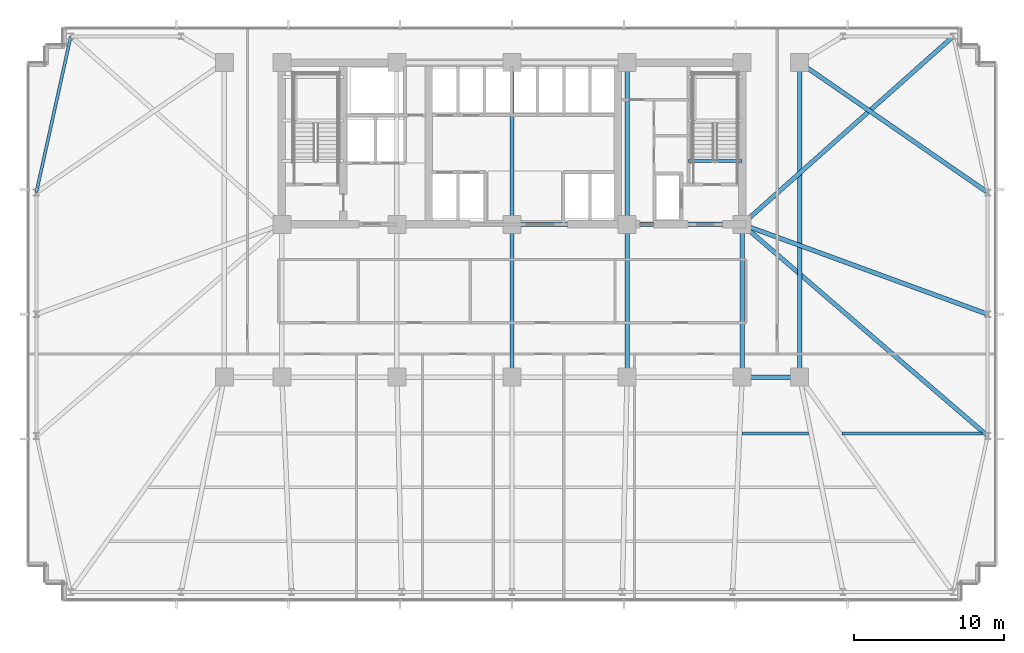
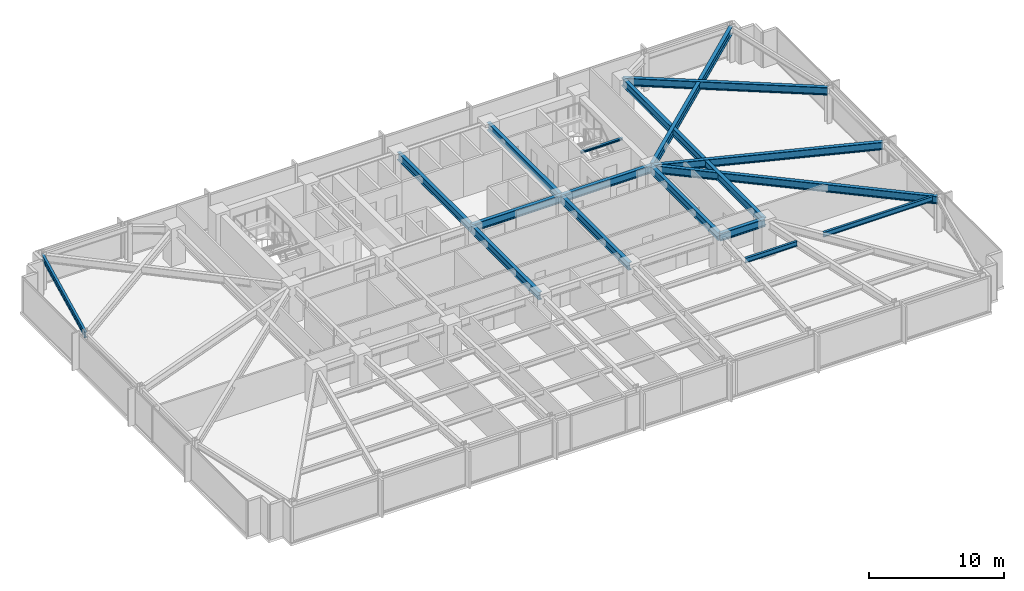
# One storey, part 16 of 33: 17 beams.
"""IFC4 building model written with IfcOpenShell, lengths in metres."""

from ifc_helpers import new_model, si_unit, direction, frame, origin, origin_2d, place, context, subcontext, project, spatial, i_section, extrude, material, material_profile, profile_set, type_object, element, save


model = new_model("IFC4")

# Units and contexts
model_context = context("Model", 3, precision=1e-05, world=origin(), true_north=direction((0.0, 1.0)))
body_context = subcontext(model_context, "Body", "Model", "MODEL_VIEW")
ifc_project = project(units=[si_unit("LENGTHUNIT", "METRE"), si_unit("AREAUNIT", "SQUARE_METRE"), si_unit("VOLUMEUNIT", "CUBIC_METRE"), si_unit("PLANEANGLEUNIT", "RADIAN"), si_unit("MASSUNIT", "GRAM", prefix="KILO")], contexts=[model_context])

# Site, building, storey
site_placement = place(None, origin())
site = spatial("IfcSite", under=ifc_project, at=site_placement, CompositionType="ELEMENT")
building_placement = place(site_placement, origin())
building = spatial("IfcBuilding", under=site, at=building_placement, Name="Yelkora Congress Tower", CompositionType="ELEMENT")
storey_placement = place(building_placement, frame((0.0, 0.0, 54.199951171875)))
storey = spatial("IfcBuildingStorey", under=building, at=storey_placement, Name="L13", CompositionType="ELEMENT", Elevation=54.199951171875)

# Beams
ifc_material = material(Name="Steel S355J2", Category="steel")
ifc_material_profile_1 = material_profile(ifc_material, i_section(OverallWidth=0.300048828125, OverallDepth=0.699951171875, WebThickness=0.01708984375, FlangeThickness=0.031982421875, FilletRadius=0.027099609375, at=origin_2d()), Name="HEB 700")
ifc_profile_set_1 = profile_set([ifc_material_profile_1], Name="Steel S355J2")
beam_type_1 = type_object("IfcBeamType", Name="BM-GIRD-HEB700", PredefinedType="BEAM", material=ifc_profile_set_1)
beam_1_placement = place(storey_placement, frame((53.760009765625, 25.199951171875, 2.830078125), z_axis=(1.0, 0.0, 0.0), x_axis=(0.0, 1.0, 0.0)))
element("IfcBeam", 1, at=beam_1_placement, inside=storey, type_object=beam_type_1, Name="L13 Spine Grid D Girder 6", PredefinedType="BEAM", context=body_context, shape_type="SweptSolid", body=[
    extrude(i_section(OverallWidth=0.300048828125, OverallDepth=0.699951171875, WebThickness=0.01708984375, FlangeThickness=0.031982421875, FilletRadius=0.027099609375, at=origin_2d()), origin(), (0.0, 0.0, 1.0), 3.840087890625),
])
beam_2_placement = place(storey_placement, frame((38.39990234375, 35.39990234375, 2.830078125), z_axis=(1.0, 0.0, 0.0), x_axis=(0.0, 1.0, 0.0)))
element("IfcBeam", 2, at=beam_2_placement, inside=storey, type_object=beam_type_1, Name="L13 Core South Girder 3", PredefinedType="BEAM", context=body_context, shape_type="SweptSolid", body=[
    extrude(i_section(OverallWidth=0.300048828125, OverallDepth=0.699951171875, WebThickness=0.01708984375, FlangeThickness=0.031982421875, FilletRadius=0.027099609375, at=origin_2d()), origin(), (0.0, 0.0, 1.0), 7.68017578125),
])
beam_3_placement = place(storey_placement, frame((46.080078125, 35.39990234375, 2.830078125), z_axis=(1.0, 0.0, 0.0), x_axis=(0.0, 1.0, 0.0)))
element("IfcBeam", 3, at=beam_3_placement, inside=storey, type_object=beam_type_1, Name="L13 Core South Girder 4", PredefinedType="BEAM", context=body_context, shape_type="SweptSolid", body=[
    extrude(i_section(OverallWidth=0.300048828125, OverallDepth=0.699951171875, WebThickness=0.01708984375, FlangeThickness=0.031982421875, FilletRadius=0.027099609375, at=origin_2d()), origin(), (0.0, 0.0, 1.0), 7.679931640625),
])
beam_4_placement = place(storey_placement, frame((38.39990234375, 25.199951171875, 2.830078125), z_axis=(0.0, 1.0, 0.0), x_axis=(-1.0, 0.0, 0.0)))
element("IfcBeam", 4, at=beam_4_placement, inside=storey, type_object=beam_type_1, Name="L13 Core Tie Girder MC-D3", PredefinedType="BEAM", context=body_context, shape_type="SweptSolid", body=[
    extrude(i_section(OverallWidth=0.300048828125, OverallDepth=0.699951171875, WebThickness=0.01708984375, FlangeThickness=0.031982421875, FilletRadius=0.027099609375, at=origin_2d()), origin(), (0.0, 0.0, 1.0), 10.199951171875),
])
beam_5_placement = place(storey_placement, frame((38.39990234375, 35.39990234375, 2.830078125), z_axis=(0.0, 1.0, 0.0), x_axis=(-1.0, 0.0, 0.0)))
element("IfcBeam", 5, at=beam_5_placement, inside=storey, type_object=beam_type_1, Name="L13 Core Tie Girder MC-S3", PredefinedType="BEAM", context=body_context, shape_type="SweptSolid", body=[
    extrude(i_section(OverallWidth=0.300048828125, OverallDepth=0.699951171875, WebThickness=0.01708984375, FlangeThickness=0.031982421875, FilletRadius=0.027099609375, at=origin_2d()), origin(), (0.0, 0.0, 1.0), 10.800048828125),
])
beam_6_placement = place(storey_placement, frame((46.080078125, 25.199951171875, 2.830078125), z_axis=(0.0, 1.0, 0.0), x_axis=(-1.0, 0.0, 0.0)))
element("IfcBeam", 6, at=beam_6_placement, inside=storey, type_object=beam_type_1, Name="L13 Core Tie Girder MC-D4", PredefinedType="BEAM", context=body_context, shape_type="SweptSolid", body=[
    extrude(i_section(OverallWidth=0.300048828125, OverallDepth=0.699951171875, WebThickness=0.01708984375, FlangeThickness=0.031982421875, FilletRadius=0.027099609375, at=origin_2d()), origin(), (0.0, 0.0, 1.0), 10.199951171875),
])
beam_7_placement = place(storey_placement, frame((46.080078125, 35.39990234375, 2.830078125), z_axis=(0.0, 1.0, 0.0), x_axis=(-1.0, 0.0, 0.0)))
element("IfcBeam", 7, at=beam_7_placement, inside=storey, type_object=beam_type_1, Name="L13 Core Tie Girder MC-S4", PredefinedType="BEAM", context=body_context, shape_type="SweptSolid", body=[
    extrude(i_section(OverallWidth=0.300048828125, OverallDepth=0.699951171875, WebThickness=0.01708984375, FlangeThickness=0.031982421875, FilletRadius=0.027099609375, at=origin_2d()), origin(), (0.0, 0.0, 1.0), 10.800048828125),
])
beam_8_placement = place(storey_placement, frame((53.760009765625, 25.199951171875, 2.830078125), z_axis=(0.0, 1.0, 0.0), x_axis=(-1.0, 0.0, 0.0)))
element("IfcBeam", 8, at=beam_8_placement, inside=storey, type_object=beam_type_1, Name="L13 Core Tie Girder MC-D5", PredefinedType="BEAM", context=body_context, shape_type="SweptSolid", body=[
    extrude(i_section(OverallWidth=0.300048828125, OverallDepth=0.699951171875, WebThickness=0.01708984375, FlangeThickness=0.031982421875, FilletRadius=0.027099609375, at=origin_2d()), origin(), (0.0, 0.0, 1.0), 10.199951171875),
])
beam_9_placement = place(storey_placement, frame((57.60009765625, 25.199951171875, 2.830078125), z_axis=(0.0, 1.0, 0.0), x_axis=(-1.0, 0.0, 0.0)))
element("IfcBeam", 9, at=beam_9_placement, inside=storey, type_object=beam_type_1, Name="L13 Neck Flank Girder MC-F2", PredefinedType="BEAM", context=body_context, shape_type="SweptSolid", body=[
    extrude(i_section(OverallWidth=0.300048828125, OverallDepth=0.699951171875, WebThickness=0.01708984375, FlangeThickness=0.031982421875, FilletRadius=0.027099609375, at=origin_2d()), origin(), (0.0, 0.0, 1.0), 21.0),
])
beam_10_placement = place(storey_placement, frame((67.85009765625, 47.949951171875, 2.830078125), z_axis=(-0.746737189621, -0.665119214605, 0.0), x_axis=(0.665119214605, -0.746737189621, 0.0)))
element("IfcBeam", 10, at=beam_10_placement, inside=storey, type_object=beam_type_1, Name="L13 Primary Frame Girder N09", PredefinedType="BEAM", context=body_context, shape_type="SweptSolid", body=[
    extrude(i_section(OverallWidth=0.300048828125, OverallDepth=0.699951171875, WebThickness=0.01708984375, FlangeThickness=0.031982421875, FilletRadius=0.027099609375, at=origin_2d()), origin(), (0.0, 0.0, 1.0), 18.868896484375),
])
beam_11_placement = place(storey_placement, frame((70.14990234375, 21.27490234375, 2.830078125), z_axis=(-0.757506357109, 0.652827786586, 0.0), x_axis=(-0.652827786586, -0.757506357109, 0.0)))
element("IfcBeam", 11, at=beam_11_placement, inside=storey, type_object=beam_type_1, Name="L13 Primary Frame Girder E01", PredefinedType="BEAM", context=body_context, shape_type="SweptSolid", body=[
    extrude(i_section(OverallWidth=0.300048828125, OverallDepth=0.699951171875, WebThickness=0.01708984375, FlangeThickness=0.031982421875, FilletRadius=0.027099609375, at=origin_2d()), origin(), (0.0, 0.0, 1.0), 21.63671875),
])
beam_12_placement = place(storey_placement, frame((70.14990234375, 29.39990234375, 2.830078125), z_axis=(-0.939054471542, 0.343768380567, 0.0), x_axis=(-0.343768380567, -0.939054471542, 0.0)))
element("IfcBeam", 12, at=beam_12_placement, inside=storey, type_object=beam_type_1, Name="L13 Primary Frame Girder E02", PredefinedType="BEAM", context=body_context, shape_type="SweptSolid", body=[
    extrude(i_section(OverallWidth=0.300048828125, OverallDepth=0.699951171875, WebThickness=0.01708984375, FlangeThickness=0.031982421875, FilletRadius=0.027099609375, at=origin_2d()), origin(), (0.0, 0.0, 1.0), 17.45361328125),
])
beam_13_placement = place(storey_placement, frame((70.14990234375, 37.52490234375, 2.830078125), z_axis=(-0.822599280139, 0.568621512357, 0.0), x_axis=(-0.568621512357, -0.822599280139, 0.0)))
element("IfcBeam", 13, at=beam_13_placement, inside=storey, type_object=beam_type_1, Name="L13 Primary Frame Girder E03", PredefinedType="BEAM", context=body_context, shape_type="SweptSolid", body=[
    extrude(i_section(OverallWidth=0.300048828125, OverallDepth=0.699951171875, WebThickness=0.01708984375, FlangeThickness=0.031982421875, FilletRadius=0.027099609375, at=origin_2d()), origin(), (0.0, 0.0, 1.0), 15.25634765625),
])
ifc_material_profile_2 = material_profile(ifc_material, i_section(OverallWidth=0.18994140625, OverallDepth=0.449951171875, WebThickness=0.009521484375, FlangeThickness=0.0146484375, FilletRadius=0.02099609375, at=origin_2d()), Name="IPE 450")
ifc_profile_set_2 = profile_set([ifc_material_profile_2], Name="Steel S355J2")
beam_type_2 = type_object("IfcBeamType", Name="BM-JOIST-IPE450", PredefinedType="JOIST", material=ifc_profile_set_2)
beam_14_placement = place(storey_placement, frame((53.754150390625, 21.449951171875, 2.955078125), z_axis=(1.0, 0.0, 0.0), x_axis=(0.0, 1.0, 0.0)))
element("IfcBeam", 14, at=beam_14_placement, inside=storey, type_object=beam_type_2, Name="L13 Composite Floor Joist 22", PredefinedType="JOIST", context=body_context, shape_type="SweptSolid", body=[
    extrude(i_section(OverallWidth=0.18994140625, OverallDepth=0.449951171875, WebThickness=0.009521484375, FlangeThickness=0.0146484375, FilletRadius=0.02099609375, at=origin_2d()), origin(), (0.0, 0.0, 1.0), 4.4404296875),
])
beam_15_placement = place(storey_placement, frame((60.438720703125, 21.449951171875, 2.955078125), z_axis=(1.0, 0.0, 0.0), x_axis=(0.0, 1.0, 0.0)))
element("IfcBeam", 15, at=beam_15_placement, inside=storey, type_object=beam_type_2, Name="L13 Composite Floor Joist 23", PredefinedType="JOIST", context=body_context, shape_type="SweptSolid", body=[
    extrude(i_section(OverallWidth=0.18994140625, OverallDepth=0.449951171875, WebThickness=0.009521484375, FlangeThickness=0.0146484375, FilletRadius=0.02099609375, at=origin_2d()), origin(), (0.0, 0.0, 1.0), 9.34814453125),
])
ifc_material_profile_3 = material_profile(ifc_material, i_section(OverallWidth=0.199951171875, OverallDepth=0.18994140625, WebThickness=0.006591796875, FlangeThickness=0.010009765625, FilletRadius=0.01806640625, at=origin_2d()), Name="HEA 200")
ifc_profile_set_3 = profile_set([ifc_material_profile_3], Name="Steel S355J2")
beam_type_3 = type_object("IfcBeamType", Name="BM-LAND-HEA200", PredefinedType="BEAM", material=ifc_profile_set_3)
beam_16_placement = place(storey_placement, frame((50.179931640625, 39.639892578125, 2.947509765625), z_axis=(1.0, 0.0, 0.0), x_axis=(0.0, 1.0, 0.0)))
element("IfcBeam", 16, at=beam_16_placement, inside=storey, type_object=beam_type_3, Name="ST-02 L13 Floor Arrival Stringer Header Beam", PredefinedType="BEAM", context=body_context, shape_type="SweptSolid", body=[
    extrude(i_section(OverallWidth=0.199951171875, OverallDepth=0.18994140625, WebThickness=0.006591796875, FlangeThickness=0.010009765625, FilletRadius=0.01806640625, at=origin_2d()), origin(), (0.0, 0.0, 1.0), 3.580078125),
])
ifc_material_profile_4 = material_profile(ifc_material, i_section(OverallWidth=0.199951171875, OverallDepth=0.5, WebThickness=0.01025390625, FlangeThickness=0.01611328125, FilletRadius=0.02099609375, at=origin_2d()), Name="IPE 500")
ifc_profile_set_4 = profile_set([ifc_material_profile_4], Name="Steel S355J2")
beam_type_4 = type_object("IfcBeamType", Name="BM-SPAN-IPE500", PredefinedType="SPANDREL", material=ifc_profile_set_4)
beam_17_placement = place(storey_placement, frame((8.949951171875, 47.949951171875, 2.929931640625), z_axis=(-0.215445894778, -0.976515778891, 0.0), x_axis=(0.976515778891, -0.215445894778, 0.0)))
element("IfcBeam", 17, at=beam_17_placement, inside=storey, type_object=beam_type_4, Name="L13 Perimeter Beam 17", PredefinedType="SPANDREL", context=body_context, shape_type="SweptSolid", body=[
    extrude(i_section(OverallWidth=0.199951171875, OverallDepth=0.5, WebThickness=0.01025390625, FlangeThickness=0.01611328125, FilletRadius=0.02099609375, at=origin_2d()), origin(), (0.0, 0.0, 1.0), 10.67578125),
])

save(model, "model.ifc")
